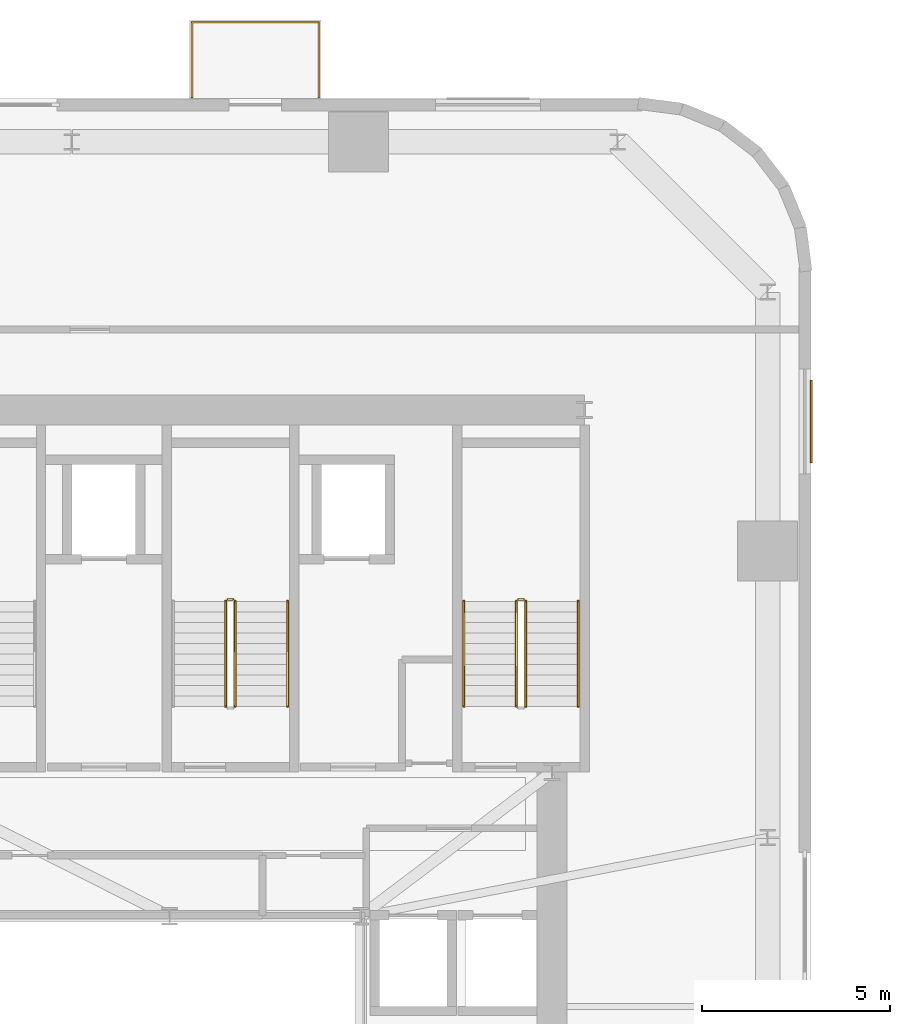
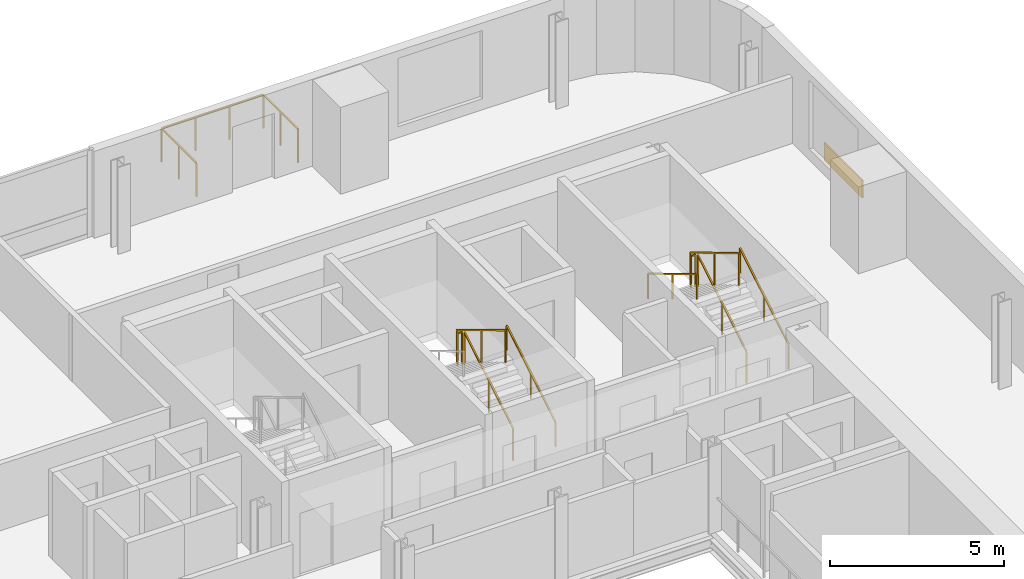
# One storey, part 14 of 14: 10 railings, 1 covering.
"""IFC4 building model written with IfcOpenShell, lengths in metres."""

from ifc_helpers import new_model, si_unit, direction, frame, origin, origin_2d, place, context, subcontext, project, spatial, rectangle, extrude, source, transform, mapped, material, layer, layer_set, type_object, element, save


model = new_model("IFC4")

# Units and contexts
model_context = context("Model", 3, precision=1e-05, world=origin(), true_north=direction((0.0, 1.0)))
body_context = subcontext(model_context, "Body", "Model", "MODEL_VIEW")
ifc_project = project(units=[si_unit("LENGTHUNIT", "METRE"), si_unit("AREAUNIT", "SQUARE_METRE"), si_unit("VOLUMEUNIT", "CUBIC_METRE"), si_unit("PLANEANGLEUNIT", "RADIAN"), si_unit("MASSUNIT", "GRAM", prefix="KILO")], contexts=[model_context])

# Site, building, storey
site_placement = place(None, origin())
site = spatial("IfcSite", under=ifc_project, at=site_placement, CompositionType="ELEMENT")
building_placement = place(site_placement, origin())
building = spatial("IfcBuilding", under=site, at=building_placement, Name="Vardaveli Station Tower", CompositionType="ELEMENT")
storey_placement = place(building_placement, frame((0.0, 0.0, 163.10009765625)))
storey = spatial("IfcBuildingStorey", under=building, at=storey_placement, Name="L42", CompositionType="ELEMENT", Elevation=163.10009765625)

# Covering
ifc_material_1 = material(Name="Ventilated honed travertine stone cladding", Category="masonry")
ifc_layer = layer(ifc_material_1, 0.044921875, Name="Ventilated honed travertine stone cladding")
ifc_layer_set = layer_set([ifc_layer], Name="Ventilated honed travertine stone cladding")
covering_type = type_object("IfcCoveringType", Name="COV-CLAD-TR45", PredefinedType="CLADDING", material=ifc_layer_set)
shared_shape_1 = source(origin(), body_context, "Body", "SweptSolid", [
    extrude(rectangle(XDim=2.199951171875, YDim=0.044921875, at=origin_2d()), origin(), (0.0, 0.0, 1.0), 0.6201171875),
])
covering_placement = place(storey_placement, frame((53.41455078125, 39.9951171875, 0.06982421875), z_axis=(0.0, 0.0, 1.0), x_axis=(0.0, 1.0, 0.0)))
element("IfcCovering", 1, at=covering_placement, inside=storey, type_object=covering_type, Name="CLD-TR-L42-E", PredefinedType="CLADDING", context=body_context, shape_type="MappedRepresentation", body=[
    mapped(shared_shape_1, transform((0.0, 0.0, 0.0), scale=1.0)),
])

# Railings
ifc_material_2 = material(Name="Laminated glass and stainless steel balustrade", Category="steel")
railing_type_1 = type_object("IfcRailingType", Name="RL-BAL-1200", PredefinedType="BALUSTRADE", material=ifc_material_2)
shared_shape_2 = source(origin(), body_context, "Body", "SweptSolid", [
    extrude(rectangle(XDim=0.048095703125, YDim=0.048095703125, at=origin_2d()), frame((0.0, 0.0, 1.17578125), z_axis=(0.0, 1.0, 0.0), x_axis=(-1.0, 0.0, 0.0)), (0.0, 0.0, 1.0), 2.0),
    extrude(rectangle(XDim=0.048095703125, YDim=0.048095703125, at=origin_2d()), frame((0.0, 2.0, 1.17578125), z_axis=(1.0, 0.0, 0.0), x_axis=(0.0, 1.0, 0.0)), (0.0, 0.0, 1.0), 3.3798828125),
    extrude(rectangle(XDim=0.048095703125, YDim=0.048095703125, at=origin_2d()), frame((3.3798828125, 2.0, 1.17578125), z_axis=(0.0, -1.0, 0.0), x_axis=(1.0, 0.0, 0.0)), (0.0, 0.0, 1.0), 2.0),
    extrude(rectangle(XDim=0.0419921875, YDim=0.0419921875, at=origin_2d()), origin(), (0.0, 0.0, 1.0), 1.15185546875),
    extrude(rectangle(XDim=0.0419921875, YDim=0.0419921875, at=origin_2d()), frame((0.0, 1.0, 0.0)), (0.0, 0.0, 1.0), 1.15185546875),
    extrude(rectangle(XDim=0.0419921875, YDim=0.0419921875, at=origin_2d()), frame((0.0, 2.0, 0.0)), (0.0, 0.0, 1.0), 1.15185546875),
    extrude(rectangle(XDim=0.0419921875, YDim=0.0419921875, at=origin_2d()), frame((1.126708984375, 2.0, 0.0)), (0.0, 0.0, 1.0), 1.15185546875),
    extrude(rectangle(XDim=0.0419921875, YDim=0.0419921875, at=origin_2d()), frame((2.253173828125, 2.0, 0.0)), (0.0, 0.0, 1.0), 1.15185546875),
    extrude(rectangle(XDim=0.0419921875, YDim=0.0419921875, at=origin_2d()), frame((3.3798828125, 2.0, 0.0)), (0.0, 0.0, 1.0), 1.15185546875),
    extrude(rectangle(XDim=0.0419921875, YDim=0.0419921875, at=origin_2d()), frame((3.3798828125, 1.0, 0.0)), (0.0, 0.0, 1.0), 1.15185546875),
    extrude(rectangle(XDim=0.0419921875, YDim=0.0419921875, at=origin_2d()), frame((3.3798828125, 0.0, 0.0)), (0.0, 0.0, 1.0), 1.15185546875),
])
railing_1_placement = place(storey_placement, frame((36.899658203125, 48.639892578125, 0.0)))
element("IfcRailing", 2, at=railing_1_placement, inside=storey, type_object=railing_type_1, Name="RL-LOG-L42-02", PredefinedType="BALUSTRADE", context=body_context, shape_type="MappedRepresentation", body=[
    mapped(shared_shape_2, transform((0.0, 0.0, 0.0), scale=1.0)),
])
ifc_material_3 = material(Name="Brushed AISI 316 stainless steel", Category="steel")
railing_type_2 = type_object("IfcRailingType", Name="RL-GUARD-1150", PredefinedType="GUARDRAIL", material=ifc_material_3)
shared_shape_3 = source(origin(), body_context, "Body", "SweptSolid", [
    extrude(rectangle(XDim=0.048095703125, YDim=0.048095703125, at=origin_2d()), frame((0.0, 0.0, 1.1259765625), z_axis=(-1.0, 0.0, 0.0), x_axis=(0.0, -1.0, 0.0)), (0.0, 0.0, 1.0), 0.14990234375),
    extrude(rectangle(XDim=0.0419921875, YDim=0.0419921875, at=origin_2d()), origin(), (0.0, 0.0, 1.0), 1.101806640625),
    extrude(rectangle(XDim=0.0419921875, YDim=0.0419921875, at=origin_2d()), frame((-0.14990234375, 0.0, 0.0)), (0.0, 0.0, 1.0), 1.101806640625),
])
for number, where, name in (
    (3, (38.0, 35.25, 1.849853515625), "L42 ST-2 stair guard 2"),
    (4, (45.75, 35.25, 1.849853515625), "L42 ST-3 stair guard 2"),
):
    element("IfcRailing", number, at=place(storey_placement, frame(where)), inside=storey, type_object=railing_type_2, Name=name, PredefinedType="GUARDRAIL", context=body_context, shape_type="MappedRepresentation", body=[
        mapped(shared_shape_3, transform((0.0, 0.0, 0.0), scale=1.0)),
    ])
shared_shape_4 = source(origin(), body_context, "Body", "SweptSolid", [
    extrude(rectangle(XDim=0.048095703125, YDim=0.048095703125, at=origin_2d()), frame((0.0, 0.0, 1.1259765625), z_axis=(0.0, -0.857242210791, 0.514913383045), x_axis=(1.0, 0.0, 0.0)), (0.0, 0.0, 1.0), 3.266357421875),
    extrude(rectangle(XDim=0.0419921875, YDim=0.0419921875, at=origin_2d()), origin(), (0.0, 0.0, 1.0), 1.101806640625),
    extrude(rectangle(XDim=0.0419921875, YDim=0.0419921875, at=origin_2d()), frame((0.0, -1.39990234375, 0.8408203125)), (0.0, 0.0, 1.0), 1.101806640625),
    extrude(rectangle(XDim=0.0419921875, YDim=0.0419921875, at=origin_2d()), frame((0.0, -2.800048828125, 1.681884765625)), (0.0, 0.0, 1.0), 1.101806640625),
])
for number, where, name in (
    (5, (37.800048828125, 35.199951171875, 2.01806640625), "L42 ST-2 stair guard 3"),
    (6, (45.550048828125, 35.199951171875, 2.01806640625), "L42 ST-3 stair guard 3"),
):
    element("IfcRailing", number, at=place(storey_placement, frame(where)), inside=storey, type_object=railing_type_2, Name=name, PredefinedType="GUARDRAIL", context=body_context, shape_type="MappedRepresentation", body=[
        mapped(shared_shape_4, transform((0.0, 0.0, 0.0), scale=1.0)),
    ])
railing_type_3 = type_object("IfcRailingType", Name="RL-HAND-900", PredefinedType="HANDRAIL", material=ifc_material_3)
shared_shape_5 = source(origin(), body_context, "Body", "SweptSolid", [
    extrude(rectangle(XDim=0.048095703125, YDim=0.048095703125, at=origin_2d()), frame((0.0, 0.0, 0.8759765625), z_axis=(0.0, -0.857242210791, 0.514913383045), x_axis=(1.0, 0.0, 0.0)), (0.0, 0.0, 1.0), 3.266357421875),
    extrude(rectangle(XDim=0.0419921875, YDim=0.0419921875, at=origin_2d()), origin(), (0.0, 0.0, 1.0), 0.851806640625),
    extrude(rectangle(XDim=0.0419921875, YDim=0.0419921875, at=origin_2d()), frame((0.0, -1.39990234375, 0.8408203125)), (0.0, 0.0, 1.0), 0.851806640625),
    extrude(rectangle(XDim=0.0419921875, YDim=0.0419921875, at=origin_2d()), frame((0.0, -2.800048828125, 1.681884765625)), (0.0, 0.0, 1.0), 0.851806640625),
])
railing_2_placement = place(storey_placement, frame((44.14990234375, 35.199951171875, 2.01806640625)))
element("IfcRailing", 7, at=railing_2_placement, inside=storey, type_object=railing_type_3, Name="L42 ST-3 stair handrail 2", PredefinedType="HANDRAIL", context=body_context, shape_type="MappedRepresentation", body=[
    mapped(shared_shape_5, transform((0.0, 0.0, 0.0), scale=1.0)),
])
shared_shape_6 = source(origin(), body_context, "Body", "SweptSolid", [
    extrude(rectangle(XDim=0.048095703125, YDim=0.048095703125, at=origin_2d()), frame((0.0, 0.0, 1.1259765625), z_axis=(0.0, 0.857242210791, 0.514913383045), x_axis=(-1.0, 0.0, 0.0)), (0.0, 0.0, 1.0), 3.266357421875),
    extrude(rectangle(XDim=0.0419921875, YDim=0.0419921875, at=origin_2d()), origin(), (0.0, 0.0, 1.0), 1.101806640625),
    extrude(rectangle(XDim=0.0419921875, YDim=0.0419921875, at=origin_2d()), frame((0.0, 1.39990234375, 0.8408203125)), (0.0, 0.0, 1.0), 1.101806640625),
    extrude(rectangle(XDim=0.0419921875, YDim=0.0419921875, at=origin_2d()), frame((0.0, 2.800048828125, 1.681884765625)), (0.0, 0.0, 1.0), 1.101806640625),
])
for number, where, name in (
    (8, (38.050048828125, 32.39990234375, 0.16796875), "L42 ST-2 stair guard 1"),
    (9, (45.800048828125, 32.39990234375, 0.16796875), "L42 ST-3 stair guard 1"),
):
    element("IfcRailing", number, at=place(storey_placement, frame(where)), inside=storey, type_object=railing_type_2, Name=name, PredefinedType="GUARDRAIL", context=body_context, shape_type="MappedRepresentation", body=[
        mapped(shared_shape_6, transform((0.0, 0.0, 0.0), scale=1.0)),
    ])
shared_shape_7 = source(origin(), body_context, "Body", "SweptSolid", [
    extrude(rectangle(XDim=0.048095703125, YDim=0.048095703125, at=origin_2d()), frame((0.0, 0.0, 0.8759765625), z_axis=(0.0, 0.857242210791, 0.514913383045), x_axis=(-1.0, 0.0, 0.0)), (0.0, 0.0, 1.0), 3.266357421875),
    extrude(rectangle(XDim=0.0419921875, YDim=0.0419921875, at=origin_2d()), origin(), (0.0, 0.0, 1.0), 0.851806640625),
    extrude(rectangle(XDim=0.0419921875, YDim=0.0419921875, at=origin_2d()), frame((0.0, 1.39990234375, 0.8408203125)), (0.0, 0.0, 1.0), 0.851806640625),
    extrude(rectangle(XDim=0.0419921875, YDim=0.0419921875, at=origin_2d()), frame((0.0, 2.800048828125, 1.681884765625)), (0.0, 0.0, 1.0), 0.851806640625),
])
for number, where, name in (
    (10, (39.449951171875, 32.39990234375, 0.16796875), "L42 ST-2 stair handrail 1"),
    (11, (47.199951171875, 32.39990234375, 0.16796875), "L42 ST-3 stair handrail 1"),
):
    element("IfcRailing", number, at=place(storey_placement, frame(where)), inside=storey, type_object=railing_type_3, Name=name, PredefinedType="HANDRAIL", context=body_context, shape_type="MappedRepresentation", body=[
        mapped(shared_shape_7, transform((0.0, 0.0, 0.0), scale=1.0)),
    ])

save(model, "model.ifc")
